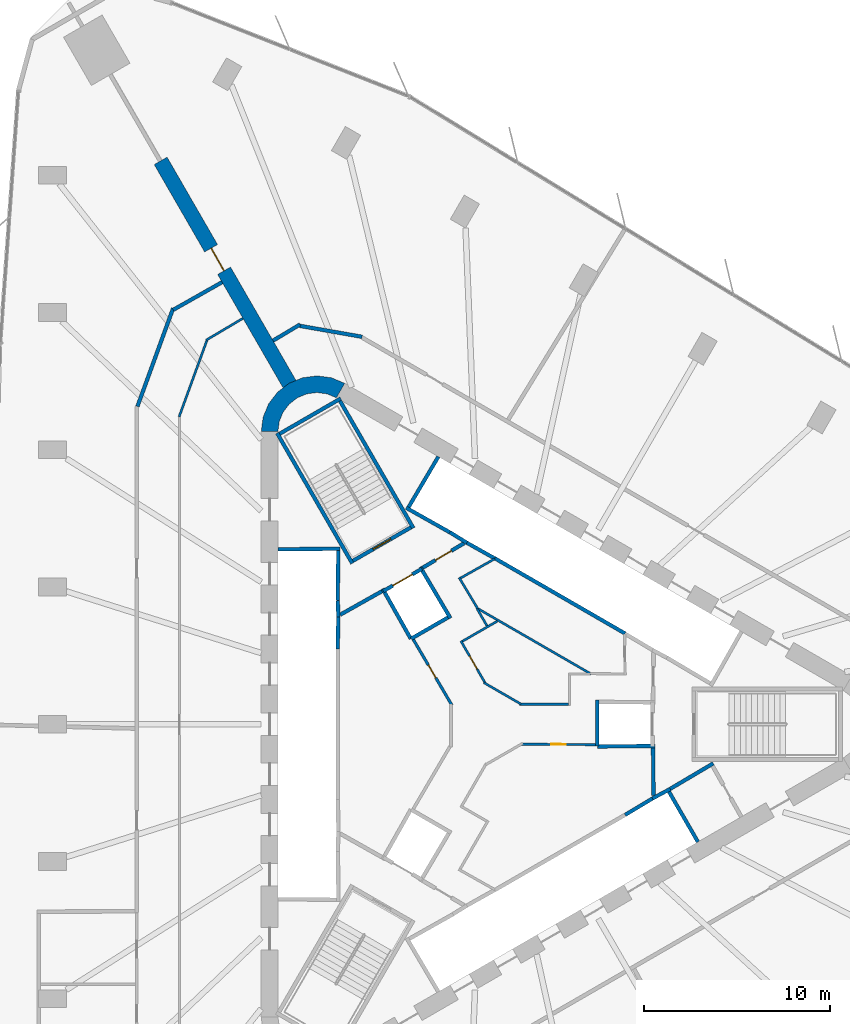
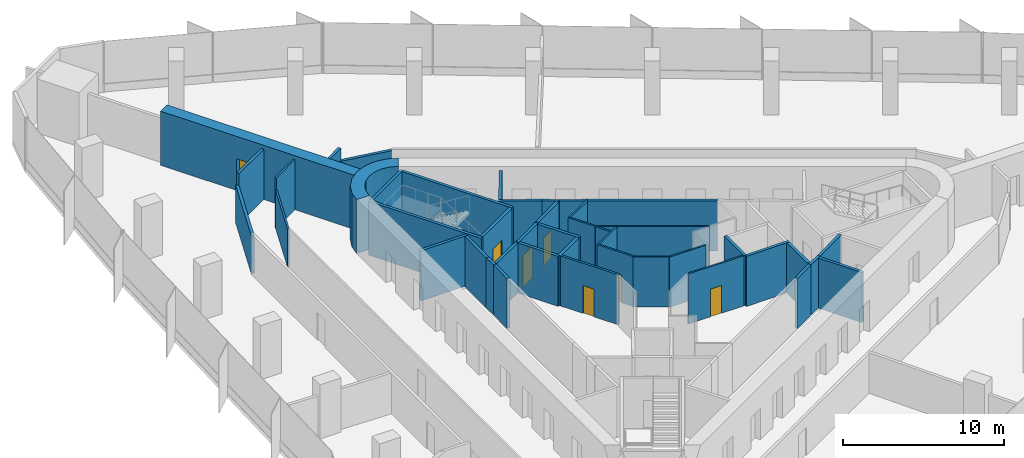
# One storey, part 10 of 13: 44 walls, 7 doors, 7 openings.
"""IFC4 building model written with IfcOpenShell, lengths in metres."""

from ifc_helpers import new_model, si_unit, direction, frame, frame_2d, origin, place, context, subcontext, project, spatial, polyline, rectangle, outline, extrude, material, layer, layer_set, type_object, element, fill, save


model = new_model("IFC4")

# Units and contexts
model_context = context("Model", 3, precision=1e-05, world=origin(), true_north=direction((0.0, 1.0)))
body_context = subcontext(model_context, "Body", "Model", "MODEL_VIEW")
ifc_project = project(units=[si_unit("LENGTHUNIT", "METRE"), si_unit("AREAUNIT", "SQUARE_METRE"), si_unit("VOLUMEUNIT", "CUBIC_METRE"), si_unit("PLANEANGLEUNIT", "RADIAN"), si_unit("MASSUNIT", "GRAM", prefix="KILO")], contexts=[model_context])

# Site, building, storey
site_placement = place(None, origin())
site = spatial("IfcSite", under=ifc_project, at=site_placement, CompositionType="ELEMENT")
building_placement = place(site_placement, origin())
building = spatial("IfcBuilding", under=site, at=building_placement, Name="Tanit Gate Tower", CompositionType="ELEMENT")
storey_placement = place(building_placement, frame((0.0, 0.0, 61.89990234375)))
storey = spatial("IfcBuildingStorey", under=building, at=storey_placement, Name="L11", CompositionType="ELEMENT", Elevation=61.89990234375)

# Wall, opening, door
ifc_material_1 = material(Name="Concrete C60/75", Category="concrete")
ifc_layer_1 = layer(ifc_material_1, 0.800048828125)
ifc_layer_set_1 = layer_set([ifc_layer_1], Name="BUTTRESS FIN 800 C60/75")
wall_type_1 = type_object("IfcWallType", Name="BUTTRESS FIN 800 C60/75", PredefinedType="SHEAR", material=ifc_layer_set_1)
wall_1_placement = place(storey_placement, frame((-10.574951171875, 18.31640625, 0.0), z_axis=(0.0, 0.0, 1.0), x_axis=(-0.500001010139, 0.866024820579, 0.0)))
wall_1 = element("IfcWall", 1, at=wall_1_placement, inside=storey, type_object=wall_type_1, Name="BUTTRESS FIN", PredefinedType="SHEAR", context=body_context, shape_type="SweptSolid", body=[
    extrude(rectangle(XDim=13.8837890625, YDim=0.800048828125, at=frame_2d((6.94189453125, 0.0))), origin(), (0.0, 0.0, 1.0), 4.10009765625),
])
opening_1_placement = place(wall_1_placement, frame((7.050048828125, 0.0, 0.0)))
opening_1 = element("IfcOpeningElement", 2, at=opening_1_placement, cuts=wall_1, Name="Opening P14-S01-F-NW-1", PredefinedType="OPENING", context=body_context, shape_type="SweptSolid", body=[
    extrude(rectangle(XDim=1.39990234375, YDim=2.39990234375, at=frame_2d((0.699951171875, 1.199951171875))), frame((0.0, 0.41015625, 0.0), z_axis=(0.0, -1.0, 0.0), x_axis=(1.0, 0.0, 0.0)), (0.0, 0.0, 1.0), 0.820068359375),
])
ifc_material_2 = material(Name="Timber door leaf", Category="wood")
door_type_1 = type_object("IfcDoorType", Name="INT-DOOR-FIN-PAIR-1400", OperationType="NOTDEFINED", PredefinedType="NOTDEFINED", material=ifc_material_2)
door_1_placement = place(opening_1_placement, origin())
door_1 = element("IfcDoor", 3, at=door_1_placement, inside=storey, type_object=door_type_1, Name="Door P14-S01-F-NW-1", OperationType="DOUBLE_DOOR_SINGLE_SWING", OverallHeight=2.39990234375, OverallWidth=1.39990234375, PredefinedType="NOTDEFINED", context=body_context, shape_type="SweptSolid", body=[
    extrude(rectangle(XDim=1.39990234375, YDim=2.39990234375, at=frame_2d((0.699951171875, 1.199951171875))), frame((0.0, 0.02490234375, 0.0), z_axis=(0.0, -1.0, 0.0), x_axis=(1.0, 0.0, 0.0)), (0.0, 0.0, 1.0), 0.050048828125),
])
fill(opening_1, door_1)

# Walls
ifc_material_3 = material(Name="Concrete C60/75", Category="concrete")
ifc_layer_2 = layer(ifc_material_3, 0.89990234375)
ifc_layer_set_2 = layer_set([ifc_layer_2], Name="CORE WALL 900 C60/75")
wall_type_2 = type_object("IfcWallType", Name="CORE WALL 900 C60/75", PredefinedType="SHEAR", material=ifc_layer_set_2)
wall_2_placement = place(storey_placement, origin())
element("IfcWall", 4, at=wall_2_placement, inside=storey, type_object=wall_type_2, Name="CORE WALL CORNER", PredefinedType="SHEAR", context=body_context, shape_type="SweptSolid", body=[
    extrude(outline(polyline([(-7.60009765625, 18.359619140625), (-8.323486328125, 18.659423828125), (-9.10009765625, 18.76171875), (-9.87646484375, 18.659423828125), (-10.60009765625, 18.359619140625), (-11.22119140625, 17.883056640625), (-11.697998046875, 17.26171875), (-11.997802734375, 16.5380859375), (-12.10009765625, 15.76171875), (-11.199951171875, 15.76171875), (-11.12841796875, 16.30517578125), (-10.918701171875, 16.811767578125), (-10.5849609375, 17.24658203125), (-10.14990234375, 17.580322265625), (-9.6435546875, 17.7900390625), (-9.10009765625, 17.86181640625), (-8.556396484375, 17.7900390625), (-8.050048828125, 17.580322265625), (-7.60009765625, 18.359619140625)])), origin(), (0.0, 0.0, 1.0), 4.10009765625),
])
ifc_material_4 = material(Name="Fire-rated gypsum board partition")
ifc_layer_3 = layer(ifc_material_4, 0.199951171875)
ifc_layer_set_3 = layer_set([ifc_layer_3], Name="INT-WALL-COMPARTMENT")
wall_type_3 = type_object("IfcWallType", Name="INT-WALL-COMPARTMENT", PredefinedType="PARTITIONING", material=ifc_layer_set_3)
wall_3_placement = place(storey_placement, frame((12.244873046875, -2.10888671875, 0.0), z_axis=(0.0, 0.0, 1.0), x_axis=(-0.860414880418, -0.509594185166, 0.0)))
element("IfcWall", 5, at=wall_3_placement, inside=storey, type_object=wall_type_3, Name="Wall Compartment W057", PredefinedType="PARTITIONING", context=body_context, shape_type="SweptSolid", body=[
    extrude(rectangle(XDim=2.7001953125, YDim=0.199951171875, at=frame_2d((1.35009765625, 0.0))), origin(), (0.0, 0.0, 1.0), 3.800048828125),
])
for number, where, z_axis, x_axis, name in (
    (6, (9.02880859375, -3.8505859375, 0.0), (0.0, 0.0, 1.0), (-0.010784614026, 0.999941844359, 0.0), "Wall Compartment W059"),
    (7, (-5.600341796875, 7.16015625, 0.0), (0.0, 0.0, 1.0), (-0.871340486379, -0.490678873396, 0.0), "Wall Compartment W061"),
):
    element("IfcWall", number, at=place(storey_placement, frame(where, z_axis=z_axis, x_axis=x_axis)), inside=storey, type_object=wall_type_3, Name=name, PredefinedType="PARTITIONING", context=body_context, shape_type="SweptSolid", body=[
        extrude(rectangle(XDim=2.580810546875, YDim=0.199951171875, at=frame_2d((1.29052734375, 0.0))), origin(), (0.0, 0.0, 1.0), 3.800048828125),
    ])

# Wall, opening, door
wall_4_placement = place(storey_placement, frame((-1.179443359375, 9.74462890625, 0.0), z_axis=(0.0, 0.0, 1.0), x_axis=(-0.860598681535, -0.509283721849, 0.0)))
wall_4 = element("IfcWall", 8, at=wall_4_placement, inside=storey, type_object=wall_type_3, Name="Wall Compartment W062", PredefinedType="PARTITIONING", context=body_context, shape_type="SweptSolid", body=[
    extrude(rectangle(XDim=2.5810546875, YDim=0.199951171875, at=frame_2d((1.29052734375, 0.0))), origin(), (0.0, 0.0, 1.0), 3.800048828125),
])
opening_2_placement = place(wall_4_placement, frame((0.79052734375, 0.0, 0.0)))
opening_2 = element("IfcOpeningElement", 9, at=opening_2_placement, cuts=wall_4, Name="Opening F10-S01-05", PredefinedType="OPENING", context=body_context, shape_type="SweptSolid", body=[
    extrude(rectangle(XDim=1.0, YDim=2.10009765625, at=frame_2d((0.5, 1.050048828125))), frame((0.0, 0.10986328125, 0.0), z_axis=(0.0, -1.0, 0.0), x_axis=(1.0, 0.0, 0.0)), (0.0, 0.0, 1.0), 0.219970703125),
])
ifc_material_5 = material(Name="Fire-rated steel door leaf", Category="steel")
door_type_2 = type_object("IfcDoorType", Name="INT-DOOR-FIRE-1000", OperationType="NOTDEFINED", PredefinedType="USERDEFINED", material=ifc_material_5)
door_2_placement = place(opening_2_placement, origin())
door_2 = element("IfcDoor", 10, at=door_2_placement, inside=storey, type_object=door_type_2, Name="Door F10-S01-05", ObjectType="FIRE DOOR", OperationType="SINGLE_SWING_LEFT", OverallHeight=2.10009765625, OverallWidth=1.0, PredefinedType="USERDEFINED", context=body_context, shape_type="SweptSolid", body=[
    extrude(rectangle(XDim=1.0, YDim=2.10009765625, at=frame_2d((0.5, 1.050048828125))), frame((0.0, 0.02490234375, 0.0), z_axis=(0.0, -1.0, 0.0), x_axis=(1.0, 0.0, 0.0)), (0.0, 0.0, 1.0), 0.050048828125),
])
fill(opening_2, door_2)

# Walls
wall_5_placement = place(storey_placement, frame((-16.842041015625, 22.401611328125, 0.0), z_axis=(0.0, 0.0, 1.0), x_axis=(-0.342049747763, -0.939681845124, 0.0)))
element("IfcWall", 11, at=wall_5_placement, inside=storey, type_object=wall_type_3, Name="Wall Compartment W095", PredefinedType="PARTITIONING", context=body_context, shape_type="SweptSolid", body=[
    extrude(rectangle(XDim=5.62451171875, YDim=0.199951171875, at=frame_2d((2.812255859375, 0.0))), origin(), (0.0, 0.0, 1.0), 2.880126953125),
])
wall_6_placement = place(storey_placement, frame((-14.206298828125, 23.805908203125, 0.0), z_axis=(0.0, 0.0, 1.0), x_axis=(-0.87028621909, -0.492546339811, 0.0)))
element("IfcWall", 12, at=wall_6_placement, inside=storey, type_object=wall_type_3, Name="Wall Compartment W096", PredefinedType="PARTITIONING", context=body_context, shape_type="SweptSolid", body=[
    extrude(rectangle(XDim=3.026123046875, YDim=0.199951171875, at=frame_2d((1.51318359375, 0.0))), origin(), (0.0, 0.0, 1.0), 3.800048828125),
])
wall_7_placement = place(storey_placement, frame((-10.00732421875, 21.528564453125, 0.0), z_axis=(0.0, 0.0, 1.0), x_axis=(-0.858379714818, -0.513014878136, 0.0)))
element("IfcWall", 13, at=wall_7_placement, inside=storey, type_object=wall_type_3, Name="Wall Compartment W101", PredefinedType="PARTITIONING", context=body_context, shape_type="SweptSolid", body=[
    extrude(rectangle(XDim=1.697998046875, YDim=0.199951171875, at=frame_2d((0.84912109375, 0.0))), origin(), (0.0, 0.0, 1.0), 3.800048828125),
])
wall_8_placement = place(storey_placement, frame((-6.667236328125, 20.863037109375, 0.0), z_axis=(0.0, 0.0, 1.0), x_axis=(-0.984817805596, 0.173591156977, 0.0)))
element("IfcWall", 14, at=wall_8_placement, inside=storey, type_object=wall_type_3, Name="Wall Compartment W102", PredefinedType="PARTITIONING", context=body_context, shape_type="SweptSolid", body=[
    extrude(rectangle(XDim=3.44287109375, YDim=0.199951171875, at=frame_2d((1.721435546875, 0.0))), origin(), (0.0, 0.0, 1.0), 2.880126953125),
])

# Wall, opening, door
ifc_material_6 = material(Name="Gypsum board partition")
ifc_layer_4 = layer(ifc_material_6, 0.1201171875)
ifc_layer_set_4 = layer_set([ifc_layer_4], Name="INT-WALL-PARTITION")
wall_type_4 = type_object("IfcWallType", Name="INT-WALL-PARTITION", PredefinedType="PARTITIONING", material=ifc_layer_set_4)
wall_9_placement = place(storey_placement, frame((5.89990234375, -1.103759765625, 0.0), z_axis=(0.0, 0.0, 1.0), x_axis=(-0.999974192295, 0.007184340221, 0.0)))
wall_9 = element("IfcWall", 15, at=wall_9_placement, inside=storey, type_object=wall_type_4, Name="Wall Partition W073", PredefinedType="PARTITIONING", context=body_context, shape_type="SweptSolid", body=[
    extrude(rectangle(XDim=3.975830078125, YDim=0.1201171875, at=frame_2d((1.98779296875, 0.0))), origin(), (0.0, 0.0, 1.0), 3.800048828125),
])
opening_3_placement = place(wall_9_placement, frame((1.587890625, 0.0, 0.0)))
opening_3 = element("IfcOpeningElement", 16, at=opening_3_placement, cuts=wall_9, Name="Opening R08-S01-11", PredefinedType="OPENING", context=body_context, shape_type="SweptSolid", body=[
    extrude(rectangle(XDim=0.800048828125, YDim=2.10009765625, at=frame_2d((0.39990234375, 1.050048828125))), frame((0.0, 0.070068359375, 0.0), z_axis=(0.0, -1.0, 0.0), x_axis=(1.0, 0.0, 0.0)), (0.0, 0.0, 1.0), 0.14013671875),
])
ifc_material_7 = material(Name="Timber door leaf", Category="wood")
door_type_3 = type_object("IfcDoorType", Name="INT-DOOR-RISER-800", OperationType="NOTDEFINED", PredefinedType="USERDEFINED", material=ifc_material_7)
door_3_placement = place(opening_3_placement, origin())
door_3 = element("IfcDoor", 17, at=door_3_placement, inside=storey, type_object=door_type_3, Name="Door R08-S01-11", ObjectType="FIRE DOOR", OperationType="SINGLE_SWING_RIGHT", OverallHeight=2.10009765625, OverallWidth=0.800048828125, PredefinedType="USERDEFINED", context=body_context, shape_type="SweptSolid", body=[
    extrude(rectangle(XDim=0.800048828125, YDim=2.10009765625, at=frame_2d((0.39990234375, 1.050048828125))), frame((0.0, 0.02490234375, 0.0), z_axis=(0.0, -1.0, 0.0), x_axis=(1.0, 0.0, 0.0)), (0.0, 0.0, 1.0), 0.050048828125),
])
fill(opening_3, door_3)

# Walls
wall_10_placement = place(storey_placement, frame((-0.497802734375, 6.262451171875, 0.0), z_axis=(0.0, 0.0, 1.0), x_axis=(0.866016105569, -0.500016104636, 0.0)))
element("IfcWall", 18, at=wall_10_placement, inside=storey, type_object=wall_type_4, Name="Wall Partition W074", PredefinedType="PARTITIONING", context=body_context, shape_type="SweptSolid", body=[
    extrude(rectangle(XDim=7.124755859375, YDim=0.1201171875, at=frame_2d((3.5625, 0.0))), origin(), (0.0, 0.0, 1.0), 3.800048828125),
])
wall_11_placement = place(storey_placement, frame((-1.442626953125, 7.896728515625, 0.0), z_axis=(0.0, 0.0, 1.0), x_axis=(0.51333134022, -0.8581905005, 0.0)))
element("IfcWall", 19, at=wall_11_placement, inside=storey, type_object=wall_type_4, Name="Wall Partition W075", PredefinedType="PARTITIONING", context=body_context, shape_type="SweptSolid", body=[
    extrude(rectangle(XDim=1.943359375, YDim=0.1201171875, at=frame_2d((0.9716796875, 0.0))), origin(), (0.0, 0.0, 1.0), 3.800048828125),
])
wall_12_placement = place(storey_placement, frame((0.475341796875, 8.9052734375, 0.0), z_axis=(0.0, 0.0, 1.0), x_axis=(-0.871832572129, -0.489804007921, 0.0)))
element("IfcWall", 20, at=wall_12_placement, inside=storey, type_object=wall_type_4, Name="Wall Partition W076", PredefinedType="PARTITIONING", context=body_context, shape_type="SweptSolid", body=[
    extrude(rectangle(XDim=2.1044921875, YDim=0.1201171875, at=frame_2d((1.05224609375, 0.0))), origin(), (0.0, 0.0, 1.0), 3.800048828125),
])
wall_13_placement = place(storey_placement, frame((1.80126953125, 1.074951171875, 0.0), z_axis=(0.0, 0.0, 1.0), x_axis=(1.0, 0.0, 0.0)))
element("IfcWall", 21, at=wall_13_placement, inside=storey, type_object=wall_type_4, Name="Wall Partition W081", PredefinedType="PARTITIONING", context=body_context, shape_type="SweptSolid", body=[
    extrude(rectangle(XDim=2.638671875, YDim=0.1201171875, at=frame_2d((1.3193359375, 0.0))), origin(), (0.0, 0.0, 1.0), 3.800048828125),
])
wall_14_placement = place(storey_placement, frame((-0.111572265625, 2.239501953125, 0.0), z_axis=(0.0, 0.0, 1.0), x_axis=(0.865997282035, -0.500048705136, 0.0)))
element("IfcWall", 22, at=wall_14_placement, inside=storey, type_object=wall_type_4, Name="Wall Partition W082", PredefinedType="PARTITIONING", context=body_context, shape_type="SweptSolid", body=[
    extrude(rectangle(XDim=2.310302734375, YDim=0.1201171875, at=frame_2d((1.1552734375, 0.0))), origin(), (0.0, 0.0, 1.0), 3.800048828125),
])

# Wall, opening, door
wall_15_placement = place(storey_placement, frame((-1.34912109375, 4.486572265625, 0.0), z_axis=(0.0, 0.0, 1.0), x_axis=(0.500013727357, -0.866017478146, 0.0)))
wall_15 = element("IfcWall", 23, at=wall_15_placement, inside=storey, type_object=wall_type_4, Name="Wall Partition W083", PredefinedType="PARTITIONING", context=body_context, shape_type="SweptSolid", body=[
    extrude(rectangle(XDim=2.63623046875, YDim=0.1201171875, at=frame_2d((1.318115234375, 0.0))), origin(), (0.0, 0.0, 1.0), 3.800048828125),
])
opening_4_placement = place(wall_15_placement, frame((0.947998046875, 0.0, 0.0)))
opening_4 = element("IfcOpeningElement", 24, at=opening_4_placement, cuts=wall_15, Name="Opening R08-S01-13", PredefinedType="OPENING", context=body_context, shape_type="SweptSolid", body=[
    extrude(rectangle(XDim=0.800048828125, YDim=2.10009765625, at=frame_2d((0.39990234375, 1.050048828125))), frame((0.0, 0.070068359375, 0.0), z_axis=(0.0, -1.0, 0.0), x_axis=(1.0, 0.0, 0.0)), (0.0, 0.0, 1.0), 0.14013671875),
])
door_4_placement = place(opening_4_placement, origin())
door_4 = element("IfcDoor", 25, at=door_4_placement, inside=storey, type_object=door_type_3, Name="Door R08-S01-13", ObjectType="FIRE DOOR", OperationType="SINGLE_SWING_LEFT", OverallHeight=2.10009765625, OverallWidth=0.800048828125, PredefinedType="USERDEFINED", context=body_context, shape_type="SweptSolid", body=[
    extrude(rectangle(XDim=0.800048828125, YDim=2.10009765625, at=frame_2d((0.39990234375, 1.050048828125))), frame((0.0, 0.02490234375, 0.0), z_axis=(0.0, -1.0, 0.0), x_axis=(1.0, 0.0, 0.0)), (0.0, 0.0, 1.0), 0.050048828125),
])
fill(opening_4, door_4)

# Walls
wall_16_placement = place(storey_placement, frame((0.614501953125, 5.551025390625, 0.0), z_axis=(0.0, 0.0, 1.0), x_axis=(-0.866007815276, -0.500030462953, 0.0)))
element("IfcWall", 26, at=wall_16_placement, inside=storey, type_object=wall_type_4, Name="Wall Partition W084", PredefinedType="PARTITIONING", context=body_context, shape_type="SweptSolid", body=[
    extrude(rectangle(XDim=2.172607421875, YDim=0.1201171875, at=frame_2d((1.08642578125, 0.0))), origin(), (0.0, 0.0, 1.0), 3.800048828125),
])
wall_17_placement = place(storey_placement, frame((-0.469970703125, 6.214111328125, 0.0), z_axis=(0.0, 0.0, 1.0), x_axis=(0.500015802937, -0.866016279763, 0.0)))
element("IfcWall", 27, at=wall_17_placement, inside=storey, type_object=wall_type_4, Name="Wall Partition W085", PredefinedType="PARTITIONING", context=body_context, shape_type="SweptSolid", body=[
    extrude(rectangle(XDim=1.056640625, YDim=0.1201171875, at=frame_2d((0.5283203125, 0.0))), origin(), (0.0, 0.0, 1.0), 3.800048828125),
])
wall_18_placement = place(storey_placement, frame((-13.082275390625, 21.859130859375, 0.0), z_axis=(0.0, 0.0, 1.0), x_axis=(-0.860286384661, -0.509811079095, 0.0)))
element("IfcWall", 28, at=wall_18_placement, inside=storey, type_object=wall_type_4, Name="Wall Partition W086", PredefinedType="PARTITIONING", context=body_context, shape_type="SweptSolid", body=[
    extrude(rectangle(XDim=2.310546875, YDim=0.1201171875, at=frame_2d((1.1552734375, 0.0))), origin(), (0.0, 0.0, 1.0), 3.800048828125),
])
wall_19_placement = place(storey_placement, frame((-15.0166015625, 20.6923828125, 0.0), z_axis=(0.0, 0.0, 1.0), x_axis=(-0.342028368186, -0.939689627141, 0.0)))
element("IfcWall", 29, at=wall_19_placement, inside=storey, type_object=wall_type_4, Name="Wall Partition W087", PredefinedType="PARTITIONING", context=body_context, shape_type="SweptSolid", body=[
    extrude(rectangle(XDim=4.39697265625, YDim=0.1201171875, at=frame_2d((2.198486328125, 0.0))), origin(), (0.0, 0.0, 1.0), 2.880126953125),
])

# Wall, opening, door
ifc_material_8 = material(Name="Fire-rated gypsum board partition")
ifc_layer_5 = layer(ifc_material_8, 0.14990234375)
ifc_layer_set_5 = layer_set([ifc_layer_5], Name="INT-WALL-RISER")
wall_type_5 = type_object("IfcWallType", Name="INT-WALL-RISER", PredefinedType="PLUMBINGWALL", material=ifc_layer_set_5)
wall_20_placement = place(storey_placement, frame((-1.81884765625, 1.002197265625, 0.0), z_axis=(0.0, 0.0, 1.0), x_axis=(-0.506251313942, 0.8623859966, 0.0)))
wall_20 = element("IfcWall", 30, at=wall_20_placement, inside=storey, type_object=wall_type_5, Name="Wall Riser W065", PredefinedType="PLUMBINGWALL", context=body_context, shape_type="SweptSolid", body=[
    extrude(rectangle(XDim=4.122802734375, YDim=0.14990234375, at=frame_2d((2.0615234375, 0.0))), origin(), (0.0, 0.0, 1.0), 3.800048828125),
])
opening_5_placement = place(wall_20_placement, frame((1.72509765625, 0.0, 0.0)))
opening_5 = element("IfcOpeningElement", 31, at=opening_5_placement, cuts=wall_20, Name="Opening R08-S01-10", PredefinedType="OPENING", context=body_context, shape_type="SweptSolid", body=[
    extrude(rectangle(XDim=0.800048828125, YDim=2.10009765625, at=frame_2d((0.39990234375, 1.050048828125))), frame((0.0, 0.0849609375, 0.0), z_axis=(0.0, -1.0, 0.0), x_axis=(1.0, 0.0, 0.0)), (0.0, 0.0, 1.0), 0.169921875),
])
door_5_placement = place(opening_5_placement, origin())
door_5 = element("IfcDoor", 32, at=door_5_placement, inside=storey, type_object=door_type_3, Name="Door R08-S01-10", ObjectType="FIRE DOOR", OperationType="SINGLE_SWING_RIGHT", OverallHeight=2.10009765625, OverallWidth=0.800048828125, PredefinedType="USERDEFINED", context=body_context, shape_type="SweptSolid", body=[
    extrude(rectangle(XDim=0.800048828125, YDim=2.10009765625, at=frame_2d((0.39990234375, 1.050048828125))), frame((0.0, 0.02490234375, 0.0), z_axis=(0.0, -1.0, 0.0), x_axis=(1.0, 0.0, 0.0)), (0.0, 0.0, 1.0), 0.050048828125),
])
fill(opening_5, door_5)

# Walls
ifc_material_9 = material(Name="Gypsum shaft wall system")
ifc_layer_6 = layer(ifc_material_9, 0.199951171875)
ifc_layer_set_6 = layer_set([ifc_layer_6], Name="INT-WALL-SHAFT")
wall_type_6 = type_object("IfcWallType", Name="INT-WALL-SHAFT", PredefinedType="PLUMBINGWALL", material=ifc_layer_set_6)
wall_21_placement = place(storey_placement, frame((-11.199951171875, 9.419921875, 0.0), z_axis=(0.0, 0.0, 1.0), x_axis=(0.999957167047, 0.009255488683, 0.0)))
element("IfcWall", 33, at=wall_21_placement, inside=storey, type_object=wall_type_6, Name="Wall Shaft W001", PredefinedType="PLUMBINGWALL", context=body_context, shape_type="SweptSolid", body=[
    extrude(rectangle(XDim=3.35009765625, YDim=0.199951171875, at=frame_2d((1.675048828125, 0.0))), origin(), (0.0, 0.0, 1.0), 3.800048828125),
])
wall_22_placement = place(storey_placement, frame((-7.951171875, 9.35009765625, 0.0), z_axis=(0.0, 0.0, 1.0), x_axis=(-0.011120469654, -0.999938165666, 0.0)))
element("IfcWall", 34, at=wall_22_placement, inside=storey, type_object=wall_type_6, Name="Wall Shaft W002", PredefinedType="PLUMBINGWALL", context=body_context, shape_type="SweptSolid", body=[
    extrude(rectangle(XDim=2.700439453125, YDim=0.199951171875, at=frame_2d((1.35009765625, 0.0))), origin(), (0.0, 0.0, 1.0), 3.800048828125),
])
wall_23_placement = place(storey_placement, frame((7.497314453125, 4.885986328125, 0.0), z_axis=(0.0, 0.0, 1.0), x_axis=(-0.866030989016, 0.499990325971, 0.0)))
element("IfcWall", 35, at=wall_23_placement, inside=storey, type_object=wall_type_6, Name="Wall Shaft W003", PredefinedType="PLUMBINGWALL", context=body_context, shape_type="SweptSolid", body=[
    extrude(rectangle(XDim=8.099853515625, YDim=0.199951171875, at=frame_2d((4.0498046875, 0.0))), origin(), (0.0, 0.0, 1.0), 3.800048828125),
])
wall_24_placement = place(storey_placement, frame((-7.97705078125, 6.650146484375, 0.0), z_axis=(0.0, 0.0, 1.0), x_axis=(0.030861509705, -0.999523670164, 0.0)))
element("IfcWall", 36, at=wall_24_placement, inside=storey, type_object=wall_type_6, Name="Wall Shaft W004", PredefinedType="PLUMBINGWALL", context=body_context, shape_type="SweptSolid", body=[
    extrude(rectangle(XDim=0.878173828125, YDim=0.199951171875, at=frame_2d((0.43896484375, 0.0))), origin(), (0.0, 0.0, 1.0), 3.800048828125),
])
wall_25_placement = place(storey_placement, frame((-7.948974609375, 5.894287109375, 0.0), z_axis=(0.0, 0.0, 1.0), x_axis=(-0.016809909365, -0.999858703491, 0.0)))
element("IfcWall", 37, at=wall_25_placement, inside=storey, type_object=wall_type_6, Name="Wall Shaft W005", PredefinedType="PLUMBINGWALL", context=body_context, shape_type="SweptSolid", body=[
    extrude(rectangle(XDim=1.844482421875, YDim=0.199951171875, at=frame_2d((0.92236328125, 0.0))), origin(), (0.0, 0.0, 1.0), 3.800048828125),
])
wall_26_placement = place(storey_placement, frame((-1.940673828125, 10.338623046875, 0.0), z_axis=(0.0, 0.0, 1.0), x_axis=(0.850216889117, -0.526432561171, 0.0)))
element("IfcWall", 38, at=wall_26_placement, inside=storey, type_object=wall_type_6, Name="Wall Shaft W019", PredefinedType="PLUMBINGWALL", context=body_context, shape_type="SweptSolid", body=[
    extrude(rectangle(XDim=1.078369140625, YDim=0.199951171875, at=frame_2d((0.5390625, 0.0))), origin(), (0.0, 0.0, 1.0), 3.800048828125),
])
wall_27_placement = place(storey_placement, frame((0.478271484375, 8.928466796875, 0.0), z_axis=(0.0, 0.0, 1.0), x_axis=(-0.871988740738, 0.489525929882, 0.0)))
element("IfcWall", 39, at=wall_27_placement, inside=storey, type_object=wall_type_6, Name="Wall Shaft W020", PredefinedType="PLUMBINGWALL", context=body_context, shape_type="SweptSolid", body=[
    extrude(rectangle(XDim=1.8447265625, YDim=0.199951171875, at=frame_2d((0.92236328125, 0.0))), origin(), (0.0, 0.0, 1.0), 3.800048828125),
])
wall_28_placement = place(storey_placement, frame((-4.296142578125, 11.658935546875, 0.0), z_axis=(0.0, 0.0, 1.0), x_axis=(0.871534483978, -0.490334215854, 0.0)))
element("IfcWall", 40, at=wall_28_placement, inside=storey, type_object=wall_type_6, Name="Wall Shaft W021", PredefinedType="PLUMBINGWALL", context=body_context, shape_type="SweptSolid", body=[
    extrude(rectangle(XDim=2.7001953125, YDim=0.199951171875, at=frame_2d((1.35009765625, 0.0))), origin(), (0.0, 0.0, 1.0), 3.800048828125),
])
wall_29_placement = place(storey_placement, frame((-4.158203125, 11.696044921875, 0.0), z_axis=(0.0, 0.0, 1.0), x_axis=(0.508018930956, 0.861345903683, 0.0)))
element("IfcWall", 41, at=wall_29_placement, inside=storey, type_object=wall_type_6, Name="Wall Shaft W022", PredefinedType="PLUMBINGWALL", context=body_context, shape_type="SweptSolid", body=[
    extrude(rectangle(XDim=3.150146484375, YDim=0.199951171875, at=frame_2d((1.5751953125, 0.0))), origin(), (0.0, 0.0, 1.0), 3.800048828125),
])
wall_30_placement = place(storey_placement, frame((9.794677734375, -3.52490234375, 0.0), z_axis=(0.0, 0.0, 1.0), x_axis=(0.499984717929, -0.866034226713, 0.0)))
element("IfcWall", 42, at=wall_30_placement, inside=storey, type_object=wall_type_6, Name="Wall Shaft W024", PredefinedType="PLUMBINGWALL", context=body_context, shape_type="SweptSolid", body=[
    extrude(rectangle(XDim=3.25, YDim=0.199951171875, at=frame_2d((1.625, 0.0))), origin(), (0.0, 0.0, 1.0), 3.800048828125),
])
wall_31_placement = place(storey_placement, frame((8.97412109375, -3.998779296875, 0.0), z_axis=(0.0, 0.0, 1.0), x_axis=(0.880907015104, 0.473289373154, 0.0)))
element("IfcWall", 43, at=wall_31_placement, inside=storey, type_object=wall_type_6, Name="Wall Shaft W025", PredefinedType="PLUMBINGWALL", context=body_context, shape_type="SweptSolid", body=[
    extrude(rectangle(XDim=1.078125, YDim=0.199951171875, at=frame_2d((0.5390625, 0.0))), origin(), (0.0, 0.0, 1.0), 3.800048828125),
])
wall_32_placement = place(storey_placement, frame((7.497314453125, -4.885986328125, 0.0), z_axis=(0.0, 0.0, 1.0), x_axis=(0.857516281273, 0.51445682749, 0.0)))
element("IfcWall", 44, at=wall_32_placement, inside=storey, type_object=wall_type_6, Name="Wall Shaft W026", PredefinedType="PLUMBINGWALL", context=body_context, shape_type="SweptSolid", body=[
    extrude(rectangle(XDim=1.8447265625, YDim=0.199951171875, at=frame_2d((0.92236328125, 0.0))), origin(), (0.0, 0.0, 1.0), 3.800048828125),
])
wall_33_placement = place(storey_placement, frame((9.10009765625, -1.1689453125, 0.0), z_axis=(0.0, 0.0, 1.0), x_axis=(-0.999949988, -0.010001074852, 0.0)))
element("IfcWall", 45, at=wall_33_placement, inside=storey, type_object=wall_type_6, Name="Wall Shaft W038", PredefinedType="PLUMBINGWALL", context=body_context, shape_type="SweptSolid", body=[
    extrude(rectangle(XDim=3.100341796875, YDim=0.199951171875, at=frame_2d((1.55029296875, 0.0))), origin(), (0.0, 0.0, 1.0), 3.800048828125),
])
wall_34_placement = place(storey_placement, frame((6.0, -1.16455078125, 0.0), z_axis=(0.0, 0.0, 1.0), x_axis=(0.0, 1.0, 0.0)))
element("IfcWall", 46, at=wall_34_placement, inside=storey, type_object=wall_type_6, Name="Wall Shaft W039", PredefinedType="PLUMBINGWALL", context=body_context, shape_type="SweptSolid", body=[
    extrude(rectangle(XDim=2.464599609375, YDim=0.199951171875, at=frame_2d((1.232421875, 0.0))), origin(), (0.0, 0.0, 1.0), 3.800048828125),
])

# Wall, opening, door
wall_35_placement = place(storey_placement, frame((-5.524169921875, 7.168212890625, 0.0), z_axis=(0.0, 0.0, 1.0), x_axis=(0.866024647952, 0.500001309137, 0.0)))
wall_35 = element("IfcWall", 47, at=wall_35_placement, inside=storey, type_object=wall_type_6, Name="Wall Shaft W045", PredefinedType="PLUMBINGWALL", context=body_context, shape_type="SweptSolid", body=[
    extrude(rectangle(XDim=2.39990234375, YDim=0.199951171875, at=frame_2d((1.199951171875, 0.0))), origin(), (0.0, 0.0, 1.0), 3.800048828125),
])
opening_6_placement = place(wall_35_placement, frame((0.60009765625, 0.0, 0.0)))
opening_6 = element("IfcOpeningElement", 48, at=opening_6_placement, cuts=wall_35, Name="Opening LDFL2-L11", PredefinedType="OPENING", context=body_context, shape_type="SweptSolid", body=[
    extrude(rectangle(XDim=1.199951171875, YDim=2.39990234375, at=frame_2d((0.60009765625, 1.199951171875))), frame((0.0, 0.10986328125, 0.0), z_axis=(0.0, -1.0, 0.0), x_axis=(1.0, 0.0, 0.0)), (0.0, 0.0, 1.0), 0.219970703125),
])
ifc_material_10 = material(Name="Stainless steel sliding door leaf", Category="steel")
door_type_4 = type_object("IfcDoorType", Name="INT-DOOR-LANDING-1200", OperationType="NOTDEFINED", PredefinedType="USERDEFINED", material=ifc_material_10)
door_6_placement = place(opening_6_placement, origin())
door_6 = element("IfcDoor", 49, at=door_6_placement, inside=storey, type_object=door_type_4, Name="Door LDFL2-L11", ObjectType="LANDING DOOR", OperationType="SLIDING_TO_LEFT", OverallHeight=2.39990234375, OverallWidth=1.199951171875, PredefinedType="USERDEFINED", context=body_context, shape_type="SweptSolid", body=[
    extrude(rectangle(XDim=1.199951171875, YDim=2.39990234375, at=frame_2d((0.60009765625, 1.199951171875))), frame((0.0, 0.02490234375, 0.0), z_axis=(0.0, -1.0, 0.0), x_axis=(1.0, 0.0, 0.0)), (0.0, 0.0, 1.0), 0.050048828125),
])
fill(opening_6, door_6)

# Walls
wall_36_placement = place(storey_placement, frame((-4.039306640625, 4.59619140625, 0.0), z_axis=(0.0, 0.0, 1.0), x_axis=(-0.491322718731, 0.870977603649, 0.0)))
element("IfcWall", 50, at=wall_36_placement, inside=storey, type_object=wall_type_6, Name="Wall Shaft W046", PredefinedType="PLUMBINGWALL", context=body_context, shape_type="SweptSolid", body=[
    extrude(rectangle(XDim=3.10009765625, YDim=0.199951171875, at=frame_2d((1.550048828125, 0.0))), origin(), (0.0, 0.0, 1.0), 3.800048828125),
])
wall_37_placement = place(storey_placement, frame((-3.53759765625, 8.46533203125, 0.0), z_axis=(0.0, 0.0, 1.0), x_axis=(0.508616218331, -0.860993346345, 0.0)))
element("IfcWall", 51, at=wall_37_placement, inside=storey, type_object=wall_type_6, Name="Wall Shaft W047", PredefinedType="PLUMBINGWALL", context=body_context, shape_type="SweptSolid", body=[
    extrude(rectangle(XDim=3.2001953125, YDim=0.199951171875, at=frame_2d((1.60009765625, 0.0))), origin(), (0.0, 0.0, 1.0), 3.800048828125),
])
wall_38_placement = place(storey_placement, frame((-2.04736328125, 5.74609375, 0.0), z_axis=(0.0, 0.0, 1.0), x_axis=(-0.866046471269, -0.499963508271, 0.0)))
element("IfcWall", 52, at=wall_38_placement, inside=storey, type_object=wall_type_6, Name="Wall Shaft W048", PredefinedType="PLUMBINGWALL", context=body_context, shape_type="SweptSolid", body=[
    extrude(rectangle(XDim=2.279541015625, YDim=0.199951171875, at=frame_2d((1.1396484375, 0.0))), origin(), (0.0, 0.0, 1.0), 3.800048828125),
])
ifc_material_11 = material(Name="Concrete C40/50", Category="concrete")
ifc_layer_7 = layer(ifc_material_11, 0.199951171875)
ifc_layer_set_7 = layer_set([ifc_layer_7], Name="INT-WALL-STAIR")
wall_type_7 = type_object("IfcWallType", Name="INT-WALL-STAIR", PredefinedType="SHEAR", material=ifc_layer_set_7)
wall_39_placement = place(storey_placement, frame((-11.245361328125, 15.677734375, -0.2998046875), z_axis=(0.0, 0.0, 1.0), x_axis=(0.499977274689, -0.866038523851, 0.0)))
element("IfcWall", 53, at=wall_39_placement, inside=storey, type_object=wall_type_7, Name="Wall Stair W041", PredefinedType="SHEAR", context=body_context, shape_type="SweptSolid", body=[
    extrude(rectangle(XDim=8.10009765625, YDim=0.199951171875, at=frame_2d((4.050048828125, 0.0))), origin(), (0.0, 0.0, 1.0), 4.099853515625),
])
wall_40_placement = place(storey_placement, frame((-7.81787109375, 17.541015625, -0.2998046875), z_axis=(0.0, 0.0, 1.0), x_axis=(-0.866044365799, -0.499967155389, 0.0)))
element("IfcWall", 54, at=wall_40_placement, inside=storey, type_object=wall_type_7, Name="Wall Stair W042", PredefinedType="SHEAR", context=body_context, shape_type="SweptSolid", body=[
    extrude(rectangle(XDim=3.800048828125, YDim=0.199951171875, at=frame_2d((1.89990234375, 0.0))), origin(), (0.0, 0.0, 1.0), 4.099853515625),
])
wall_41_placement = place(storey_placement, frame((-7.8544921875, 17.404541015625, -0.2998046875), z_axis=(0.0, 0.0, 1.0), x_axis=(0.499997992926, -0.866026562566, 0.0)))
element("IfcWall", 55, at=wall_41_placement, inside=storey, type_object=wall_type_7, Name="Wall Stair W043", PredefinedType="SHEAR", context=body_context, shape_type="SweptSolid", body=[
    extrude(rectangle(XDim=7.89990234375, YDim=0.199951171875, at=frame_2d((3.949951171875, 0.0))), origin(), (0.0, 0.0, 1.0), 4.099853515625),
])

# Wall, opening, door
wall_42_placement = place(storey_placement, frame((-7.158935546875, 8.799560546875, -0.2998046875), z_axis=(0.0, 0.0, 1.0), x_axis=(0.866047807691, 0.499961193289, 0.0)))
wall_42 = element("IfcWall", 56, at=wall_42_placement, inside=storey, type_object=wall_type_7, Name="Wall Stair W044", PredefinedType="SHEAR", context=body_context, shape_type="SweptSolid", body=[
    extrude(rectangle(XDim=3.599853515625, YDim=0.199951171875, at=frame_2d((1.7998046875, 0.0))), origin(), (0.0, 0.0, 1.0), 4.099853515625),
])
opening_7_placement = place(wall_42_placement, frame((1.25, 0.0, 0.300048828125)))
opening_7 = element("IfcOpeningElement", 57, at=opening_7_placement, cuts=wall_42, Name="Opening S11-S01-04", PredefinedType="OPENING", context=body_context, shape_type="SweptSolid", body=[
    extrude(rectangle(XDim=1.10009765625, YDim=2.10009765625, at=frame_2d((0.550048828125, 1.050048828125))), frame((0.0, 0.10986328125, 0.0), z_axis=(0.0, -1.0, 0.0), x_axis=(1.0, 0.0, 0.0)), (0.0, 0.0, 1.0), 0.219970703125),
])
ifc_material_12 = material(Name="Timber door leaf", Category="wood")
door_type_5 = type_object("IfcDoorType", Name="INT-DOOR-STAIR-1100", OperationType="NOTDEFINED", PredefinedType="USERDEFINED", material=ifc_material_12)
door_7_placement = place(opening_7_placement, origin())
door_7 = element("IfcDoor", 58, at=door_7_placement, inside=storey, type_object=door_type_5, Name="Door S11-S01-04", ObjectType="FIRE DOOR", OperationType="SINGLE_SWING_LEFT", OverallHeight=2.10009765625, OverallWidth=1.10009765625, PredefinedType="USERDEFINED", context=body_context, shape_type="SweptSolid", body=[
    extrude(rectangle(XDim=1.10009765625, YDim=2.10009765625, at=frame_2d((0.550048828125, 1.050048828125))), frame((0.0, 0.02490234375, 0.0), z_axis=(0.0, -1.0, 0.0), x_axis=(1.0, 0.0, 0.0)), (0.0, 0.0, 1.0), 0.050048828125),
])
fill(opening_7, door_7)

save(model, "model.ifc")
